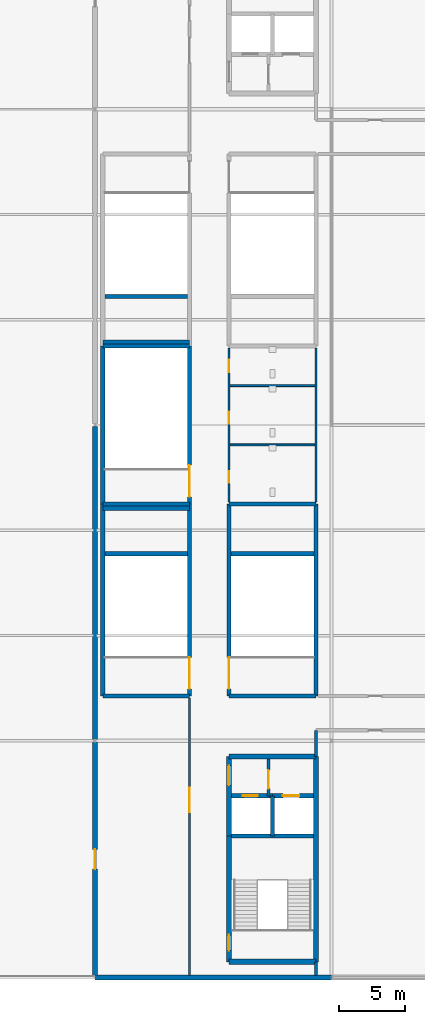
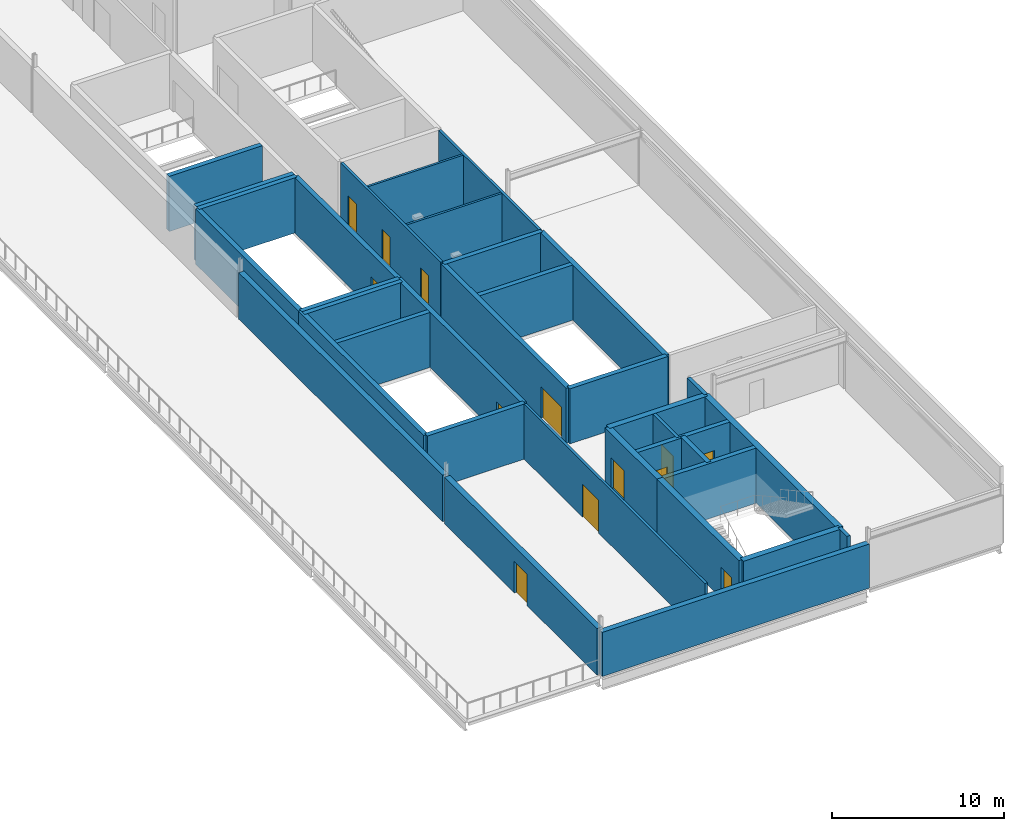
# One storey, part 17 of 23: 36 walls, 13 doors, 13 openings.
"""IFC4 building model written with IfcOpenShell, lengths in metres."""

from ifc_helpers import new_model, si_unit, direction, frame, frame_2d, origin, place, context, subcontext, project, spatial, rectangle, extrude, material, layer, layer_set, type_object, element, fill, save


model = new_model("IFC4")

# Units and contexts
model_context = context("Model", 3, precision=1e-05, world=origin(), true_north=direction((0.0, 1.0)))
body_context = subcontext(model_context, "Body", "Model", "MODEL_VIEW")
ifc_project = project(units=[si_unit("LENGTHUNIT", "METRE"), si_unit("AREAUNIT", "SQUARE_METRE"), si_unit("VOLUMEUNIT", "CUBIC_METRE"), si_unit("PLANEANGLEUNIT", "RADIAN"), si_unit("MASSUNIT", "GRAM", prefix="KILO")], contexts=[model_context])

# Site, building, storey
site_placement = place(None, origin())
site = spatial("IfcSite", under=ifc_project, at=site_placement, CompositionType="ELEMENT")
building_placement = place(site_placement, origin())
building = spatial("IfcBuilding", under=site, at=building_placement, Name="Kisiwana Market Hall", CompositionType="ELEMENT")
storey_placement = place(building_placement, frame((0.0, 0.0, 65.699951171875)))
storey = spatial("IfcBuildingStorey", under=building, at=storey_placement, Name="L15", CompositionType="ELEMENT", Elevation=65.699951171875)

# Wall, opening, door
ifc_material_1 = material(Name="Masonry blockwork", Category="masonry")
ifc_layer_1 = layer(ifc_material_1, 0.199951171875, Name="Plastered fire compartment block wall")
ifc_layer_set_1 = layer_set([ifc_layer_1], Name="WL-COMP-200")
wall_type_1 = type_object("IfcWallType", Name="WL-COMP-200", PredefinedType="PARTITIONING", material=ifc_layer_set_1)
wall_1_placement = place(storey_placement, frame((184.199951171875, 31.820068359375, 0.0), z_axis=(0.0, 0.0, 1.0), x_axis=(0.0, 1.0, 0.0)))
wall_1 = element("IfcWall", 1, at=wall_1_placement, inside=storey, type_object=wall_type_1, Name="Core E2 firefighting lobby wall W-3459", PredefinedType="PARTITIONING", context=body_context, shape_type="SweptSolid", body=[
    extrude(rectangle(XDim=2.780029296875, YDim=0.199951171875, at=frame_2d((1.39013671875, 0.0))), origin(), (0.0, 0.0, 1.0), 3.920166015625),
])
opening_1_placement = place(wall_1_placement, frame((0.550048828125, 0.0, 0.0)))
opening_1 = element("IfcOpeningElement", 2, at=opening_1_placement, cuts=wall_1, Name="Opening DR-L15-009", PredefinedType="OPENING", context=body_context, shape_type="SweptSolid", body=[
    extrude(rectangle(XDim=1.39990234375, YDim=2.25, at=frame_2d((0.699951171875, 1.125))), frame((0.0, 0.11181640625, 0.0), z_axis=(0.0, -1.0, 0.0), x_axis=(1.0, 0.0, 0.0)), (0.0, 0.0, 1.0), 0.223876953125),
])
ifc_material_2 = material(Name="Steel S275", Category="steel")
door_type_1 = type_object("IfcDoorType", Name="DR-FFLOB-FD120-1400", OperationType="DOUBLE_DOOR_SINGLE_SWING", PredefinedType="DOOR", material=ifc_material_2)
door_1_placement = place(opening_1_placement, origin())
door_1 = element("IfcDoor", 3, at=door_1_placement, inside=storey, type_object=door_type_1, Name="Firefighting Lift Lobby E2 Door (L15)", OperationType="DOUBLE_DOOR_SINGLE_SWING", OverallHeight=2.25, OverallWidth=1.39990234375, PredefinedType="DOOR", context=body_context, shape_type="SweptSolid", body=[
    extrude(rectangle(XDim=1.39990234375, YDim=2.25, at=frame_2d((0.699951171875, 1.125))), frame((0.0, 0.02490234375, 0.0), z_axis=(0.0, -1.0, 0.0), x_axis=(1.0, 0.0, 0.0)), (0.0, 0.0, 1.0), 0.050048828125),
])
fill(opening_1, door_1)

# Walls
ifc_material_3 = material(Name="Concrete C40/50", Category="concrete")
ifc_layer_2 = layer(ifc_material_3, 0.320068359375, Name="Reinforced concrete shaft wall")
ifc_layer_set_2 = layer_set([ifc_layer_2], Name="WL-CORE-320")
wall_type_2 = type_object("IfcWallType", Name="WL-CORE-320", PredefinedType="SHEAR", material=ifc_layer_set_2)
wall_2_placement = place(storey_placement, frame((181.39990234375, 28.760009765625, 0.0), z_axis=(0.0, 0.0, 1.0), x_axis=(1.0, 0.0, 0.0)))
element("IfcWall", 4, at=wall_2_placement, inside=storey, type_object=wall_type_2, Name="Core E2 shaft back shear wall W-3372", PredefinedType="SHEAR", context=body_context, shape_type="SweptSolid", body=[
    extrude(rectangle(XDim=6.2001953125, YDim=0.320068359375, at=frame_2d((3.10009765625, 0.0))), origin(), (0.0, 0.0, 1.0), 3.920166015625),
])
wall_3_placement = place(storey_placement, frame((184.5, 28.760009765625, 0.0), z_axis=(0.0, 0.0, 1.0), x_axis=(0.0, 1.0, 0.0)))
element("IfcWall", 5, at=wall_3_placement, inside=storey, type_object=wall_type_2, Name="Core E2 inter-shaft shear wall W-3373", PredefinedType="SHEAR", context=body_context, shape_type="SweptSolid", body=[
    extrude(rectangle(XDim=3.06005859375, YDim=0.320068359375, at=frame_2d((1.530029296875, 0.0))), origin(), (0.0, 0.0, 1.0), 3.920166015625),
])

# Wall, opening, door
wall_4_placement = place(storey_placement, frame((181.39990234375, 31.820068359375, 0.0), z_axis=(0.0, 0.0, 1.0), x_axis=(1.0, 0.0, 0.0)))
wall_4 = element("IfcWall", 6, at=wall_4_placement, inside=storey, type_object=wall_type_2, Name="Core E2 west lift front wall W-3374", PredefinedType="SHEAR", context=body_context, shape_type="SweptSolid", body=[
    extrude(rectangle(XDim=3.10009765625, YDim=0.320068359375, at=frame_2d((1.550048828125, 0.0))), origin(), (0.0, 0.0, 1.0), 3.920166015625),
])
opening_2_placement = place(wall_4_placement, frame((0.85009765625, 0.0, 0.0)))
opening_2 = element("IfcOpeningElement", 7, at=opening_2_placement, cuts=wall_4, Name="Opening LD-L15-005", PredefinedType="OPENING", context=body_context, shape_type="SweptSolid", body=[
    extrude(rectangle(XDim=1.14990234375, YDim=2.199951171875, at=frame_2d((0.574951171875, 1.10009765625))), frame((0.0, 0.171875, 0.0), z_axis=(0.0, -1.0, 0.0), x_axis=(1.0, 0.0, 0.0)), (0.0, 0.0, 1.0), 0.343994140625),
])
ifc_material_4 = material(Name="Steel S275", Category="steel")
door_type_2 = type_object("IfcDoorType", Name="DR-LIFT-PAX-1150", OperationType="DOUBLE_DOOR_SLIDING", PredefinedType="DOOR", material=ifc_material_4)
door_2_placement = place(opening_2_placement, origin())
door_2 = element("IfcDoor", 8, at=door_2_placement, inside=storey, type_object=door_type_2, Name="Lift Landing Door LP-03 (L15)", OperationType="DOUBLE_DOOR_SLIDING", OverallHeight=2.199951171875, OverallWidth=1.14990234375, PredefinedType="DOOR", context=body_context, shape_type="SweptSolid", body=[
    extrude(rectangle(XDim=1.14990234375, YDim=2.199951171875, at=frame_2d((0.574951171875, 1.10009765625))), frame((0.0, 0.02490234375, 0.0), z_axis=(0.0, -1.0, 0.0), x_axis=(1.0, 0.0, 0.0)), (0.0, 0.0, 1.0), 0.050048828125),
])
fill(opening_2, door_2)

wall_5_placement = place(storey_placement, frame((184.5, 31.820068359375, 0.0), z_axis=(0.0, 0.0, 1.0), x_axis=(1.0, 0.0, 0.0)))
wall_5 = element("IfcWall", 9, at=wall_5_placement, inside=storey, type_object=wall_type_2, Name="Core E2 east lift front wall W-3375", PredefinedType="SHEAR", context=body_context, shape_type="SweptSolid", body=[
    extrude(rectangle(XDim=3.10009765625, YDim=0.320068359375, at=frame_2d((1.550048828125, 0.0))), origin(), (0.0, 0.0, 1.0), 3.920166015625),
])
opening_3_placement = place(wall_5_placement, frame((0.800048828125, 0.0, 0.0)))
opening_3 = element("IfcOpeningElement", 10, at=opening_3_placement, cuts=wall_5, Name="Opening LD-L15-006", PredefinedType="OPENING", context=body_context, shape_type="SweptSolid", body=[
    extrude(rectangle(XDim=1.25, YDim=2.25, at=frame_2d((0.625, 1.125))), frame((0.0, 0.171875, 0.0), z_axis=(0.0, -1.0, 0.0), x_axis=(1.0, 0.0, 0.0)), (0.0, 0.0, 1.0), 0.343994140625),
])
ifc_material_5 = material(Name="Steel S275", Category="steel")
door_type_3 = type_object("IfcDoorType", Name="DR-LIFT-FFL-1250", OperationType="DOUBLE_DOOR_SLIDING", PredefinedType="DOOR", material=ifc_material_5)
door_3_placement = place(opening_3_placement, origin())
door_3 = element("IfcDoor", 11, at=door_3_placement, inside=storey, type_object=door_type_3, Name="Lift Landing Door FFL-03 (L15)", OperationType="DOUBLE_DOOR_SLIDING", OverallHeight=2.25, OverallWidth=1.25, PredefinedType="DOOR", context=body_context, shape_type="SweptSolid", body=[
    extrude(rectangle(XDim=1.25, YDim=2.25, at=frame_2d((0.625, 1.125))), frame((0.0, 0.02490234375, 0.0), z_axis=(0.0, -1.0, 0.0), x_axis=(1.0, 0.0, 0.0)), (0.0, 0.0, 1.0), 0.050048828125),
])
fill(opening_3, door_3)

# Walls
for number, where, z_axis, x_axis, name in (
    (12, (181.199951171875, 39.39990234375, 0.0), (0.0, 0.0, 1.0), (1.0, 0.0, 0.0), "Core E3 south shear wall W-3395"),
    (13, (181.199951171875, 54.0, 0.0), (0.0, 0.0, 1.0), (1.0, 0.0, 0.0), "Core E3 north shear wall W-3396"),
):
    element("IfcWall", number, at=place(storey_placement, frame(where, z_axis=z_axis, x_axis=x_axis)), inside=storey, type_object=wall_type_2, Name=name, PredefinedType="SHEAR", context=body_context, shape_type="SweptSolid", body=[
        extrude(rectangle(XDim=6.60009765625, YDim=0.320068359375, at=frame_2d((3.300048828125, 0.0))), origin(), (0.0, 0.0, 1.0), 3.920166015625),
    ])

# Wall, opening, door
wall_6_placement = place(storey_placement, frame((181.199951171875, 39.39990234375, 0.0), z_axis=(0.0, 0.0, 1.0), x_axis=(0.0, 1.0, 0.0)))
wall_6 = element("IfcWall", 14, at=wall_6_placement, inside=storey, type_object=wall_type_2, Name="Core E3 corridor shear wall W-3397", PredefinedType="SHEAR", context=body_context, shape_type="SweptSolid", body=[
    extrude(rectangle(XDim=14.60009765625, YDim=0.320068359375, at=frame_2d((7.300048828125, 0.0))), origin(), (0.0, 0.0, 1.0), 3.920166015625),
])
opening_4_placement = place(wall_6_placement, frame((0.550048828125, 0.0, 0.0)))
opening_4 = element("IfcOpeningElement", 15, at=opening_4_placement, cuts=wall_6, Name="Opening DR-L15-015", PredefinedType="OPENING", context=body_context, shape_type="SweptSolid", body=[
    extrude(rectangle(XDim=2.39990234375, YDim=2.25, at=frame_2d((1.199951171875, 1.125))), frame((0.0, 0.171875, 0.0), z_axis=(0.0, -1.0, 0.0), x_axis=(1.0, 0.0, 0.0)), (0.0, 0.0, 1.0), 0.343994140625),
])
ifc_material_6 = material(Name="Steel S275", Category="steel")
door_type_4 = type_object("IfcDoorType", Name="DR-STAIR-FD120-2400", OperationType="DOUBLE_DOOR_SINGLE_SWING", PredefinedType="DOOR", material=ifc_material_6)
door_4_placement = place(opening_4_placement, frame((2.39990234375, 0.0, 0.0), z_axis=(0.0, 0.0, 1.0), x_axis=(-1.0, 0.0, 0.0)))
door_4 = element("IfcDoor", 16, at=door_4_placement, inside=storey, type_object=door_type_4, Name="Escape Stair E3 Fire Door (L15)", OperationType="DOUBLE_DOOR_SINGLE_SWING", OverallHeight=2.25, OverallWidth=2.39990234375, PredefinedType="DOOR", context=body_context, shape_type="SweptSolid", body=[
    extrude(rectangle(XDim=2.39990234375, YDim=2.25, at=frame_2d((1.199951171875, 1.125))), frame((0.0, 0.02490234375, 0.0), z_axis=(0.0, -1.0, 0.0), x_axis=(1.0, 0.0, 0.0)), (0.0, 0.0, 1.0), 0.050048828125),
])
fill(opening_4, door_4)

# Walls
wall_7_placement = place(storey_placement, frame((187.800048828125, 39.39990234375, 0.0), z_axis=(0.0, 0.0, 1.0), x_axis=(0.0, 1.0, 0.0)))
element("IfcWall", 17, at=wall_7_placement, inside=storey, type_object=wall_type_2, Name="Core E3 outer shear wall W-3398", PredefinedType="SHEAR", context=body_context, shape_type="SweptSolid", body=[
    extrude(rectangle(XDim=14.60009765625, YDim=0.320068359375, at=frame_2d((7.300048828125, 0.0))), origin(), (0.0, 0.0, 1.0), 3.920166015625),
])
wall_8_placement = place(storey_placement, frame((181.360107421875, 50.219970703125, 0.0), z_axis=(0.0, 0.0, 1.0), x_axis=(1.0, 0.0, 0.0)))
element("IfcWall", 18, at=wall_8_placement, inside=storey, type_object=wall_type_2, Name="Core E3 riser divider shear wall W-3399", PredefinedType="SHEAR", context=body_context, shape_type="SweptSolid", body=[
    extrude(rectangle(XDim=6.27978515625, YDim=0.320068359375, at=frame_2d((3.139892578125, 0.0))), origin(), (0.0, 0.0, 1.0), 3.920166015625),
])
for number, where, z_axis, x_axis, name in (
    (19, (171.60009765625, 39.39990234375, 0.0), (0.0, 0.0, 1.0), (1.0, 0.0, 0.0), "Core E7 south shear wall W-3410"),
    (20, (171.60009765625, 54.0, 0.0), (0.0, 0.0, 1.0), (1.0, 0.0, 0.0), "Core E7 north shear wall W-3411"),
):
    element("IfcWall", number, at=place(storey_placement, frame(where, z_axis=z_axis, x_axis=x_axis)), inside=storey, type_object=wall_type_2, Name=name, PredefinedType="SHEAR", context=body_context, shape_type="SweptSolid", body=[
        extrude(rectangle(XDim=6.599853515625, YDim=0.320068359375, at=frame_2d((3.2998046875, 0.0))), origin(), (0.0, 0.0, 1.0), 3.920166015625),
    ])
wall_9_placement = place(storey_placement, frame((171.60009765625, 39.39990234375, 0.0), z_axis=(0.0, 0.0, 1.0), x_axis=(0.0, 1.0, 0.0)))
element("IfcWall", 21, at=wall_9_placement, inside=storey, type_object=wall_type_2, Name="Core E7 outer shear wall W-3412", PredefinedType="SHEAR", context=body_context, shape_type="SweptSolid", body=[
    extrude(rectangle(XDim=14.60009765625, YDim=0.320068359375, at=frame_2d((7.300048828125, 0.0))), origin(), (0.0, 0.0, 1.0), 3.920166015625),
])

# Wall, opening, door
wall_10_placement = place(storey_placement, frame((178.199951171875, 39.39990234375, 0.0), z_axis=(0.0, 0.0, 1.0), x_axis=(0.0, 1.0, 0.0)))
wall_10 = element("IfcWall", 22, at=wall_10_placement, inside=storey, type_object=wall_type_2, Name="Core E7 corridor shear wall W-3413", PredefinedType="SHEAR", context=body_context, shape_type="SweptSolid", body=[
    extrude(rectangle(XDim=14.60009765625, YDim=0.320068359375, at=frame_2d((7.300048828125, 0.0))), origin(), (0.0, 0.0, 1.0), 3.920166015625),
])
opening_5_placement = place(wall_10_placement, frame((0.550048828125, 0.0, 0.0)))
opening_5 = element("IfcOpeningElement", 23, at=opening_5_placement, cuts=wall_10, Name="Opening DR-L15-018", PredefinedType="OPENING", context=body_context, shape_type="SweptSolid", body=[
    extrude(rectangle(XDim=2.39990234375, YDim=2.25, at=frame_2d((1.199951171875, 1.125))), frame((0.0, 0.171875, 0.0), z_axis=(0.0, -1.0, 0.0), x_axis=(1.0, 0.0, 0.0)), (0.0, 0.0, 1.0), 0.343994140625),
])
door_5_placement = place(opening_5_placement, origin())
door_5 = element("IfcDoor", 24, at=door_5_placement, inside=storey, type_object=door_type_4, Name="Escape Stair E7 Fire Door (L15)", OperationType="DOUBLE_DOOR_SINGLE_SWING", OverallHeight=2.25, OverallWidth=2.39990234375, PredefinedType="DOOR", context=body_context, shape_type="SweptSolid", body=[
    extrude(rectangle(XDim=2.39990234375, YDim=2.25, at=frame_2d((1.199951171875, 1.125))), frame((0.0, 0.02490234375, 0.0), z_axis=(0.0, -1.0, 0.0), x_axis=(1.0, 0.0, 0.0)), (0.0, 0.0, 1.0), 0.050048828125),
])
fill(opening_5, door_5)

# Walls
wall_11_placement = place(storey_placement, frame((171.760009765625, 50.219970703125, 0.0), z_axis=(0.0, 0.0, 1.0), x_axis=(1.0, 0.0, 0.0)))
element("IfcWall", 25, at=wall_11_placement, inside=storey, type_object=wall_type_2, Name="Core E7 riser divider shear wall W-3414", PredefinedType="SHEAR", context=body_context, shape_type="SweptSolid", body=[
    extrude(rectangle(XDim=6.280029296875, YDim=0.320068359375, at=frame_2d((3.14013671875, 0.0))), origin(), (0.0, 0.0, 1.0), 3.920166015625),
])
wall_12_placement = place(storey_placement, frame((171.60009765625, 66.0, 0.0), z_axis=(0.0, 0.0, 1.0), x_axis=(1.0, 0.0, 0.0)))
element("IfcWall", 26, at=wall_12_placement, inside=storey, type_object=wall_type_2, Name="Core E8 south shear wall W-3420", PredefinedType="SHEAR", context=body_context, shape_type="SweptSolid", body=[
    extrude(rectangle(XDim=6.599853515625, YDim=0.320068359375, at=frame_2d((3.2998046875, 0.0))), origin(), (0.0, 0.0, 1.0), 3.920166015625),
])
wall_13_placement = place(storey_placement, frame((171.760009765625, 69.780029296875, 0.0), z_axis=(0.0, 0.0, 1.0), x_axis=(1.0, 0.0, 0.0)))
element("IfcWall", 27, at=wall_13_placement, inside=storey, type_object=wall_type_2, Name="Core E8 riser divider shear wall W-3424", PredefinedType="SHEAR", context=body_context, shape_type="SweptSolid", body=[
    extrude(rectangle(XDim=6.280029296875, YDim=0.320068359375, at=frame_2d((3.14013671875, 0.0))), origin(), (0.0, 0.0, 1.0), 3.920166015625),
])
for number, where, z_axis, x_axis, name in (
    (28, (171.60009765625, 53.679931640625, 0.0), (0.0, 0.0, 1.0), (1.0, 0.0, 0.0), "Core E5 south shear wall W-3429"),
    (29, (171.60009765625, 66.320068359375, 0.0), (0.0, 0.0, 1.0), (1.0, 0.0, 0.0), "Core E5 north shear wall W-3430"),
):
    element("IfcWall", number, at=place(storey_placement, frame(where, z_axis=z_axis, x_axis=x_axis)), inside=storey, type_object=wall_type_2, Name=name, PredefinedType="SHEAR", context=body_context, shape_type="SweptSolid", body=[
        extrude(rectangle(XDim=6.599853515625, YDim=0.320068359375, at=frame_2d((3.2998046875, 0.0))), origin(), (0.0, 0.0, 1.0), 3.920166015625),
    ])
wall_14_placement = place(storey_placement, frame((171.60009765625, 54.0, 0.0), z_axis=(0.0, 0.0, 1.0), x_axis=(0.0, 1.0, 0.0)))
element("IfcWall", 30, at=wall_14_placement, inside=storey, type_object=wall_type_2, Name="Core E5 outer shear wall W-3431", PredefinedType="SHEAR", context=body_context, shape_type="SweptSolid", body=[
    extrude(rectangle(XDim=12.0, YDim=0.320068359375, at=frame_2d((6.0, 0.0))), origin(), (0.0, 0.0, 1.0), 3.920166015625),
])

# Wall, opening, door
wall_15_placement = place(storey_placement, frame((178.199951171875, 54.0, 0.0), z_axis=(0.0, 0.0, 1.0), x_axis=(0.0, 1.0, 0.0)))
wall_15 = element("IfcWall", 31, at=wall_15_placement, inside=storey, type_object=wall_type_2, Name="Core E5 corridor shear wall W-3432", PredefinedType="SHEAR", context=body_context, shape_type="SweptSolid", body=[
    extrude(rectangle(XDim=12.0, YDim=0.320068359375, at=frame_2d((6.0, 0.0))), origin(), (0.0, 0.0, 1.0), 3.920166015625),
])
opening_6_placement = place(wall_15_placement, frame((0.550048828125, 0.0, 0.0)))
opening_6 = element("IfcOpeningElement", 32, at=opening_6_placement, cuts=wall_15, Name="Opening DR-L15-022", PredefinedType="OPENING", context=body_context, shape_type="SweptSolid", body=[
    extrude(rectangle(XDim=2.39990234375, YDim=2.25, at=frame_2d((1.199951171875, 1.125))), frame((0.0, 0.171875, 0.0), z_axis=(0.0, -1.0, 0.0), x_axis=(1.0, 0.0, 0.0)), (0.0, 0.0, 1.0), 0.343994140625),
])
door_6_placement = place(opening_6_placement, origin())
door_6 = element("IfcDoor", 33, at=door_6_placement, inside=storey, type_object=door_type_4, Name="Escape Stair E5 Fire Door (L15)", OperationType="DOUBLE_DOOR_SINGLE_SWING", OverallHeight=2.25, OverallWidth=2.39990234375, PredefinedType="DOOR", context=body_context, shape_type="SweptSolid", body=[
    extrude(rectangle(XDim=2.39990234375, YDim=2.25, at=frame_2d((1.199951171875, 1.125))), frame((0.0, 0.02490234375, 0.0), z_axis=(0.0, -1.0, 0.0), x_axis=(1.0, 0.0, 0.0)), (0.0, 0.0, 1.0), 0.050048828125),
])
fill(opening_6, door_6)

# Walls
ifc_material_7 = material(Name="Concrete C40/50", Category="concrete")
ifc_layer_3 = layer(ifc_material_7, 0.39990234375, Name="Reinforced concrete core wall")
ifc_layer_set_3 = layer_set([ifc_layer_3], Name="WL-CORE-400")
wall_type_3 = type_object("IfcWallType", Name="WL-CORE-400", PredefinedType="SHEAR", material=ifc_layer_set_3)
for number, where, z_axis, x_axis, name in (
    (34, (181.199951171875, 19.199951171875, 0.0), (0.0, 0.0, 1.0), (1.0, 0.0, 0.0), "Core E2 south shear wall W-3367"),
    (35, (181.199951171875, 34.800048828125, 0.0), (0.0, 0.0, 1.0), (1.0, 0.0, 0.0), "Core E2 north shear wall W-3368"),
):
    element("IfcWall", number, at=place(storey_placement, frame(where, z_axis=z_axis, x_axis=x_axis)), inside=storey, type_object=wall_type_3, Name=name, PredefinedType="SHEAR", context=body_context, shape_type="SweptSolid", body=[
        extrude(rectangle(XDim=6.60009765625, YDim=0.39990234375, at=frame_2d((3.300048828125, 0.0))), origin(), (0.0, 0.0, 1.0), 3.920166015625),
    ])
wall_16_placement = place(storey_placement, frame((187.800048828125, 19.199951171875, 0.0), z_axis=(0.0, 0.0, 1.0), x_axis=(0.0, 1.0, 0.0)))
element("IfcWall", 36, at=wall_16_placement, inside=storey, type_object=wall_type_3, Name="Core E2 outer shear wall W-3369", PredefinedType="SHEAR", context=body_context, shape_type="SweptSolid", body=[
    extrude(rectangle(XDim=15.60009765625, YDim=0.39990234375, at=frame_2d((7.800048828125, 0.0))), origin(), (0.0, 0.0, 1.0), 3.920166015625),
])

# Wall, opening, door
wall_17_placement = place(storey_placement, frame((181.199951171875, 19.199951171875, 0.0), z_axis=(0.0, 0.0, 1.0), x_axis=(0.0, 1.0, 0.0)))
wall_17 = element("IfcWall", 37, at=wall_17_placement, inside=storey, type_object=wall_type_3, Name="Core E2 stair corridor shear wall W-3370", PredefinedType="SHEAR", context=body_context, shape_type="SweptSolid", body=[
    extrude(rectangle(XDim=9.56005859375, YDim=0.39990234375, at=frame_2d((4.780029296875, 0.0))), origin(), (0.0, 0.0, 1.0), 3.920166015625),
])
opening_7_placement = place(wall_17_placement, frame((0.85009765625, 0.0, 0.0)))
opening_7 = element("IfcOpeningElement", 38, at=opening_7_placement, cuts=wall_17, Name="Opening DR-L15-007", PredefinedType="OPENING", context=body_context, shape_type="SweptSolid", body=[
    extrude(rectangle(XDim=1.199951171875, YDim=2.199951171875, at=frame_2d((0.60009765625, 1.10009765625))), frame((0.0, 0.2119140625, 0.0), z_axis=(0.0, -1.0, 0.0), x_axis=(1.0, 0.0, 0.0)), (0.0, 0.0, 1.0), 0.423828125),
])
ifc_material_8 = material(Name="Steel S275", Category="steel")
door_type_5 = type_object("IfcDoorType", Name="DR-STAIR-FD120-1200", OperationType="NOTDEFINED", PredefinedType="DOOR", material=ifc_material_8)
door_7_placement = place(opening_7_placement, frame((1.199951171875, 0.0, 0.0), z_axis=(0.0, 0.0, 1.0), x_axis=(-1.0, 0.0, 0.0)))
door_7 = element("IfcDoor", 39, at=door_7_placement, inside=storey, type_object=door_type_5, Name="Escape Stair E2 Fire Door (L15)", OperationType="SINGLE_SWING_RIGHT", OverallHeight=2.199951171875, OverallWidth=1.199951171875, PredefinedType="DOOR", context=body_context, shape_type="SweptSolid", body=[
    extrude(rectangle(XDim=1.199951171875, YDim=2.199951171875, at=frame_2d((0.60009765625, 1.10009765625))), frame((0.0, 0.02490234375, 0.0), z_axis=(0.0, -1.0, 0.0), x_axis=(1.0, 0.0, 0.0)), (0.0, 0.0, 1.0), 0.050048828125),
])
fill(opening_7, door_7)

wall_18_placement = place(storey_placement, frame((181.199951171875, 28.760009765625, 0.0), z_axis=(0.0, 0.0, 1.0), x_axis=(0.0, 1.0, 0.0)))
wall_18 = element("IfcWall", 40, at=wall_18_placement, inside=storey, type_object=wall_type_3, Name="Core E2 lobby corridor shear wall W-3371", PredefinedType="SHEAR", context=body_context, shape_type="SweptSolid", body=[
    extrude(rectangle(XDim=6.0400390625, YDim=0.39990234375, at=frame_2d((3.02001953125, 0.0))), origin(), (0.0, 0.0, 1.0), 3.920166015625),
])
opening_8_placement = place(wall_18_placement, frame((3.85009765625, 0.0, 0.0)))
opening_8 = element("IfcOpeningElement", 41, at=opening_8_placement, cuts=wall_18, Name="Opening DR-L15-008", PredefinedType="OPENING", context=body_context, shape_type="SweptSolid", body=[
    extrude(rectangle(XDim=1.5, YDim=2.199951171875, at=frame_2d((0.75, 1.10009765625))), frame((0.0, 0.2119140625, 0.0), z_axis=(0.0, -1.0, 0.0), x_axis=(1.0, 0.0, 0.0)), (0.0, 0.0, 1.0), 0.423828125),
])
ifc_material_9 = material(Name="Steel S275", Category="steel")
door_type_6 = type_object("IfcDoorType", Name="DR-CORR-FD60-1500", OperationType="DOUBLE_DOOR_SINGLE_SWING", PredefinedType="DOOR", material=ifc_material_9)
door_8_placement = place(opening_8_placement, origin())
door_8 = element("IfcDoor", 42, at=door_8_placement, inside=storey, type_object=door_type_6, Name="Passenger Lift Lobby E2 Smoke Door (L15)", OperationType="DOUBLE_DOOR_SINGLE_SWING", OverallHeight=2.199951171875, OverallWidth=1.5, PredefinedType="DOOR", context=body_context, shape_type="SweptSolid", body=[
    extrude(rectangle(XDim=1.5, YDim=2.199951171875, at=frame_2d((0.75, 1.10009765625))), frame((0.0, 0.02490234375, 0.0), z_axis=(0.0, -1.0, 0.0), x_axis=(1.0, 0.0, 0.0)), (0.0, 0.0, 1.0), 0.050048828125),
])
fill(opening_8, door_8)

# Wall
ifc_material_10 = material(Name="Masonry blockwork", Category="masonry")
ifc_layer_4 = layer(ifc_material_10, 0.169921875, Name="Protected corridor partition")
ifc_layer_set_4 = layer_set([ifc_layer_4], Name="WL-CORR-170")
wall_type_4 = type_object("IfcWallType", Name="WL-CORR-170", PredefinedType="PARTITIONING", material=ifc_layer_set_4)
wall_19_placement = place(storey_placement, frame((187.800048828125, 54.159912109375, 0.0), z_axis=(0.0, 0.0, 1.0), x_axis=(0.0, 1.0, 0.0)))
element("IfcWall", 43, at=wall_19_placement, inside=storey, type_object=wall_type_4, Name="Interior partition W-3475", PredefinedType="PARTITIONING", context=body_context, shape_type="SweptSolid", body=[
    extrude(rectangle(XDim=11.68017578125, YDim=0.169921875, at=frame_2d((5.840087890625, 0.0))), origin(), (0.0, 0.0, 1.0), 3.920166015625),
])

# Wall, openings, doors
wall_20_placement = place(storey_placement, frame((181.199951171875, 54.159912109375, 0.0), z_axis=(0.0, 0.0, 1.0), x_axis=(0.0, 1.0, 0.0)))
wall_20 = element("IfcWall", 44, at=wall_20_placement, inside=storey, type_object=wall_type_4, Name="Interior partition W-3476", PredefinedType="PARTITIONING", context=body_context, shape_type="SweptSolid", body=[
    extrude(rectangle(XDim=11.68017578125, YDim=0.169921875, at=frame_2d((5.840087890625, 0.0))), origin(), (0.0, 0.0, 1.0), 3.920166015625),
])
opening_9_placement = place(wall_20_placement, frame((1.43994140625, 0.0, 0.0)))
opening_9 = element("IfcOpeningElement", 45, at=opening_9_placement, cuts=wall_20, Name="Opening DR-L15-033", PredefinedType="OPENING", context=body_context, shape_type="SweptSolid", body=[
    extrude(rectangle(XDim=0.89990234375, YDim=2.10009765625, at=frame_2d((0.449951171875, 1.050048828125))), frame((0.0, 0.096923828125, 0.0), z_axis=(0.0, -1.0, 0.0), x_axis=(1.0, 0.0, 0.0)), (0.0, 0.0, 1.0), 0.19384765625),
])
opening_10_placement = place(wall_20_placement, frame((5.93994140625, 0.0, 0.0)))
opening_10 = element("IfcOpeningElement", 46, at=opening_10_placement, cuts=wall_20, Name="Opening DR-L15-034", PredefinedType="OPENING", context=body_context, shape_type="SweptSolid", body=[
    extrude(rectangle(XDim=0.89990234375, YDim=2.10009765625, at=frame_2d((0.449951171875, 1.050048828125))), frame((0.0, 0.096923828125, 0.0), z_axis=(0.0, -1.0, 0.0), x_axis=(1.0, 0.0, 0.0)), (0.0, 0.0, 1.0), 0.19384765625),
])
opening_11_placement = place(wall_20_placement, frame((9.840087890625, 0.0, 0.0)))
opening_11 = element("IfcOpeningElement", 47, at=opening_11_placement, cuts=wall_20, Name="Opening DR-L15-035", PredefinedType="OPENING", context=body_context, shape_type="SweptSolid", body=[
    extrude(rectangle(XDim=0.949951171875, YDim=2.10009765625, at=frame_2d((0.47509765625, 1.050048828125))), frame((0.0, 0.096923828125, 0.0), z_axis=(0.0, -1.0, 0.0), x_axis=(1.0, 0.0, 0.0)), (0.0, 0.0, 1.0), 0.19384765625),
])
ifc_material_11 = material(Name="Aluminium alloy 6063-T6", Category="aluminium")
door_type_7 = type_object("IfcDoorType", Name="DR-WC-ACC-950", OperationType="NOTDEFINED", PredefinedType="DOOR", material=ifc_material_11)
door_9_placement = place(opening_11_placement, frame((0.949951171875, 0.0, 0.0), z_axis=(0.0, 0.0, 1.0), x_axis=(-1.0, 0.0, 0.0)))
door_9 = element("IfcDoor", 48, at=door_9_placement, inside=storey, type_object=door_type_7, Name="L15 E Accessible WC Door", OperationType="SINGLE_SWING_LEFT", OverallHeight=2.10009765625, OverallWidth=0.949951171875, PredefinedType="DOOR", context=body_context, shape_type="SweptSolid", body=[
    extrude(rectangle(XDim=0.949951171875, YDim=2.10009765625, at=frame_2d((0.47509765625, 1.050048828125))), frame((0.0, 0.02490234375, 0.0), z_axis=(0.0, -1.0, 0.0), x_axis=(1.0, 0.0, 0.0)), (0.0, 0.0, 1.0), 0.050048828125),
])
fill(opening_11, door_9)
ifc_material_12 = material(Name="Aluminium alloy 6063-T6", Category="aluminium")
door_type_8 = type_object("IfcDoorType", Name="DR-WC-STD-900", OperationType="NOTDEFINED", PredefinedType="DOOR", material=ifc_material_12)
door_10_placement = place(opening_9_placement, frame((0.89990234375, 0.0, 0.0), z_axis=(0.0, 0.0, 1.0), x_axis=(-1.0, 0.0, 0.0)))
door_10 = element("IfcDoor", 49, at=door_10_placement, inside=storey, type_object=door_type_8, Name="L15 E Male Toilet Door", OperationType="SINGLE_SWING_RIGHT", OverallHeight=2.10009765625, OverallWidth=0.89990234375, PredefinedType="DOOR", context=body_context, shape_type="SweptSolid", body=[
    extrude(rectangle(XDim=0.89990234375, YDim=2.10009765625, at=frame_2d((0.449951171875, 1.050048828125))), frame((0.0, 0.02490234375, 0.0), z_axis=(0.0, -1.0, 0.0), x_axis=(1.0, 0.0, 0.0)), (0.0, 0.0, 1.0), 0.050048828125),
])
fill(opening_9, door_10)
door_11_placement = place(opening_10_placement, frame((0.89990234375, 0.0, 0.0), z_axis=(0.0, 0.0, 1.0), x_axis=(-1.0, 0.0, 0.0)))
door_11 = element("IfcDoor", 50, at=door_11_placement, inside=storey, type_object=door_type_8, Name="L15 E Female Toilet Door", OperationType="SINGLE_SWING_LEFT", OverallHeight=2.10009765625, OverallWidth=0.89990234375, PredefinedType="DOOR", context=body_context, shape_type="SweptSolid", body=[
    extrude(rectangle(XDim=0.89990234375, YDim=2.10009765625, at=frame_2d((0.449951171875, 1.050048828125))), frame((0.0, 0.02490234375, 0.0), z_axis=(0.0, -1.0, 0.0), x_axis=(1.0, 0.0, 0.0)), (0.0, 0.0, 1.0), 0.050048828125),
])
fill(opening_10, door_11)

# Wall, opening, door
wall_21_placement = place(storey_placement, frame((178.199951171875, 18.169921875, 0.0), z_axis=(0.0, 0.0, 1.0), x_axis=(0.0, 1.0, 0.0)))
wall_21 = element("IfcWall", 51, at=wall_21_placement, inside=storey, type_object=wall_type_4, Name="Interior partition W-3487", PredefinedType="PARTITIONING", context=body_context, shape_type="SweptSolid", body=[
    extrude(rectangle(XDim=21.070068359375, YDim=0.169921875, at=frame_2d((10.53515625, 0.0))), origin(), (0.0, 0.0, 1.0), 3.920166015625),
])
opening_12_placement = place(wall_21_placement, frame((12.3798828125, 0.0, 0.0)))
opening_12 = element("IfcOpeningElement", 52, at=opening_12_placement, cuts=wall_21, Name="Opening DR-L15-039", PredefinedType="OPENING", context=body_context, shape_type="SweptSolid", body=[
    extrude(rectangle(XDim=1.89990234375, YDim=2.35009765625, at=frame_2d((0.949951171875, 1.175048828125))), frame((0.0, 0.096923828125, 0.0), z_axis=(0.0, -1.0, 0.0), x_axis=(1.0, 0.0, 0.0)), (0.0, 0.0, 1.0), 0.19384765625),
])
ifc_material_13 = material(Name="Steel S275", Category="steel")
door_type_9 = type_object("IfcDoorType", Name="DR-HALL-1900", OperationType="DOUBLE_DOOR_SINGLE_SWING", PredefinedType="DOOR", material=ifc_material_13)
door_12_placement = place(opening_12_placement, origin())
door_12 = element("IfcDoor", 53, at=door_12_placement, inside=storey, type_object=door_type_9, Name="L15 E Civic Observatory South Gallery Door", OperationType="DOUBLE_DOOR_SINGLE_SWING", OverallHeight=2.35009765625, OverallWidth=1.89990234375, PredefinedType="DOOR", context=body_context, shape_type="SweptSolid", body=[
    extrude(rectangle(XDim=1.89990234375, YDim=2.35009765625, at=frame_2d((0.949951171875, 1.175048828125))), frame((0.0, 0.02490234375, 0.0), z_axis=(0.0, -1.0, 0.0), x_axis=(1.0, 0.0, 0.0)), (0.0, 0.0, 1.0), 0.050048828125),
])
fill(opening_12, door_12)

# Wall
ifc_material_14 = material(Name="Concrete C40/50 precast", Category="concrete")
ifc_layer_5 = layer(ifc_material_14, 0.364990234375)
ifc_layer_set_5 = layer_set([ifc_layer_5], Name="WL-EXT-365")
wall_type_5 = type_object("IfcWallType", Name="WL-EXT-365", PredefinedType="STANDARD", material=ifc_layer_set_5)
wall_22_placement = place(storey_placement, frame((171.010009765625, 18.0, 0.0), z_axis=(0.0, 0.0, 1.0), x_axis=(1.0, 0.0, 0.0)))
element("IfcWall", 54, at=wall_22_placement, inside=storey, type_object=wall_type_5, Name="Exterior wall W-3435", PredefinedType="STANDARD", context=body_context, shape_type="SweptSolid", body=[
    extrude(rectangle(XDim=17.97998046875, YDim=0.364990234375, at=frame_2d((8.989990234375, 0.0))), origin(), (0.0, 0.0, 1.0), 3.145751953125),
])

# Wall, opening, door
wall_23_placement = place(storey_placement, frame((171.0, 18.107666015625, 0.0), z_axis=(0.0, 0.0, 1.0), x_axis=(0.0, 1.0, 0.0)))
wall_23 = element("IfcWall", 55, at=wall_23_placement, inside=storey, type_object=wall_type_5, Name="Exterior wall W-3449", PredefinedType="STANDARD", context=body_context, shape_type="SweptSolid", body=[
    extrude(rectangle(XDim=17.78466796875, YDim=0.364990234375, at=frame_2d((8.892333984375, 0.0))), origin(), (0.0, 0.0, 1.0), 3.307861328125),
])
opening_13_placement = place(wall_23_placement, frame((8.142333984375, 0.0, 0.0)))
opening_13 = element("IfcOpeningElement", 56, at=opening_13_placement, cuts=wall_23, Name="Opening DR-L15-1002", PredefinedType="OPENING", context=body_context, shape_type="SweptSolid", body=[
    extrude(rectangle(XDim=1.5, YDim=2.25, at=frame_2d((0.75, 1.125))), frame((0.0, 0.1943359375, 0.0), z_axis=(0.0, -1.0, 0.0), x_axis=(1.0, 0.0, 0.0)), (0.0, 0.0, 1.0), 0.388916015625),
])
ifc_material_15 = material(Name="Aluminium alloy 6063-T6", Category="aluminium")
door_type_10 = type_object("IfcDoorType", Name="DR-EXT-TERR-1500", OperationType="DOUBLE_DOOR_SINGLE_SWING", PredefinedType="DOOR", material=ifc_material_15)
door_13_placement = place(opening_13_placement, frame((1.5, 0.0, 0.0), z_axis=(0.0, 0.0, 1.0), x_axis=(-1.0, 0.0, 0.0)))
door_13 = element("IfcDoor", 57, at=door_13_placement, inside=storey, type_object=door_type_10, Name="Exterior terrace access door DR-L15-1002", OperationType="DOUBLE_DOOR_SINGLE_SWING", OverallHeight=2.25, OverallWidth=1.5, PredefinedType="DOOR", context=body_context, shape_type="SweptSolid", body=[
    extrude(rectangle(XDim=1.5, YDim=2.25, at=frame_2d((0.75, 1.125))), frame((0.0, 0.02490234375, 0.0), z_axis=(0.0, -1.0, 0.0), x_axis=(1.0, 0.0, 0.0)), (0.0, 0.0, 1.0), 0.050048828125),
])
fill(opening_13, door_13)

# Walls
wall_24_placement = place(storey_placement, frame((171.0, 36.107666015625, 0.0), z_axis=(0.0, 0.0, 1.0), x_axis=(0.0, 1.0, 0.0)))
element("IfcWall", 58, at=wall_24_placement, inside=storey, type_object=wall_type_5, Name="Exterior wall W-3450", PredefinedType="STANDARD", context=body_context, shape_type="SweptSolid", body=[
    extrude(rectangle(XDim=23.78466796875, YDim=0.364990234375, at=frame_2d((11.892333984375, 0.0))), origin(), (0.0, 0.0, 1.0), 3.307861328125),
])
ifc_material_16 = material(Name="Concrete C32/40", Category="concrete")
ifc_layer_6 = layer(ifc_material_16, 0.235107421875)
ifc_layer_set_6 = layer_set([ifc_layer_6], Name="WL-PART-235")
wall_type_6 = type_object("IfcWallType", Name="WL-PART-235", PredefinedType="PARTITIONING", material=ifc_layer_set_6)
wall_25_placement = place(storey_placement, frame((187.800048828125, 34.800048828125, 0.0), z_axis=(0.0, 0.0, 1.0), x_axis=(0.0, 1.0, 0.0)))
element("IfcWall", 59, at=wall_25_placement, inside=storey, type_object=wall_type_6, Name="Interior partition W-3479", PredefinedType="PARTITIONING", context=body_context, shape_type="SweptSolid", body=[
    extrude(rectangle(XDim=2.0, YDim=0.235107421875, at=frame_2d((1.0, 0.0))), origin(), (0.0, 0.0, 1.0), 3.920166015625),
])
wall_26_placement = place(storey_placement, frame((187.800048828125, 18.169921875, 0.0), z_axis=(0.0, 0.0, 1.0), x_axis=(0.0, 1.0, 0.0)))
element("IfcWall", 60, at=wall_26_placement, inside=storey, type_object=wall_type_6, Name="Interior partition W-3481", PredefinedType="PARTITIONING", context=body_context, shape_type="SweptSolid", body=[
    extrude(rectangle(XDim=1.030029296875, YDim=0.235107421875, at=frame_2d((0.51513671875, 0.0))), origin(), (0.0, 0.0, 1.0), 3.920166015625),
])
ifc_material_17 = material(Name="Masonry blockwork", Category="masonry")
ifc_layer_7 = layer(ifc_material_17, 0.14990234375, Name="Water-resistant sanitary block wall")
ifc_layer_set_7 = layer_set([ifc_layer_7], Name="WL-WET-150")
wall_type_7 = type_object("IfcWallType", Name="WL-WET-150", PredefinedType="PARTITIONING", material=ifc_layer_set_7)
for number, where, z_axis, x_axis, name in (
    (61, (181.284912109375, 58.5, 0.0), (0.0, 0.0, 1.0), (1.0, 0.0, 0.0), "Interior partition W-3477"),
    (62, (181.284912109375, 63.0, 0.0), (0.0, 0.0, 1.0), (1.0, 0.0, 0.0), "Interior partition W-3478"),
):
    element("IfcWall", number, at=place(storey_placement, frame(where, z_axis=z_axis, x_axis=x_axis)), inside=storey, type_object=wall_type_7, Name=name, PredefinedType="PARTITIONING", context=body_context, shape_type="SweptSolid", body=[
        extrude(rectangle(XDim=6.43017578125, YDim=0.14990234375, at=frame_2d((3.215087890625, 0.0))), origin(), (0.0, 0.0, 1.0), 3.920166015625),
    ])

save(model, "model.ifc")
